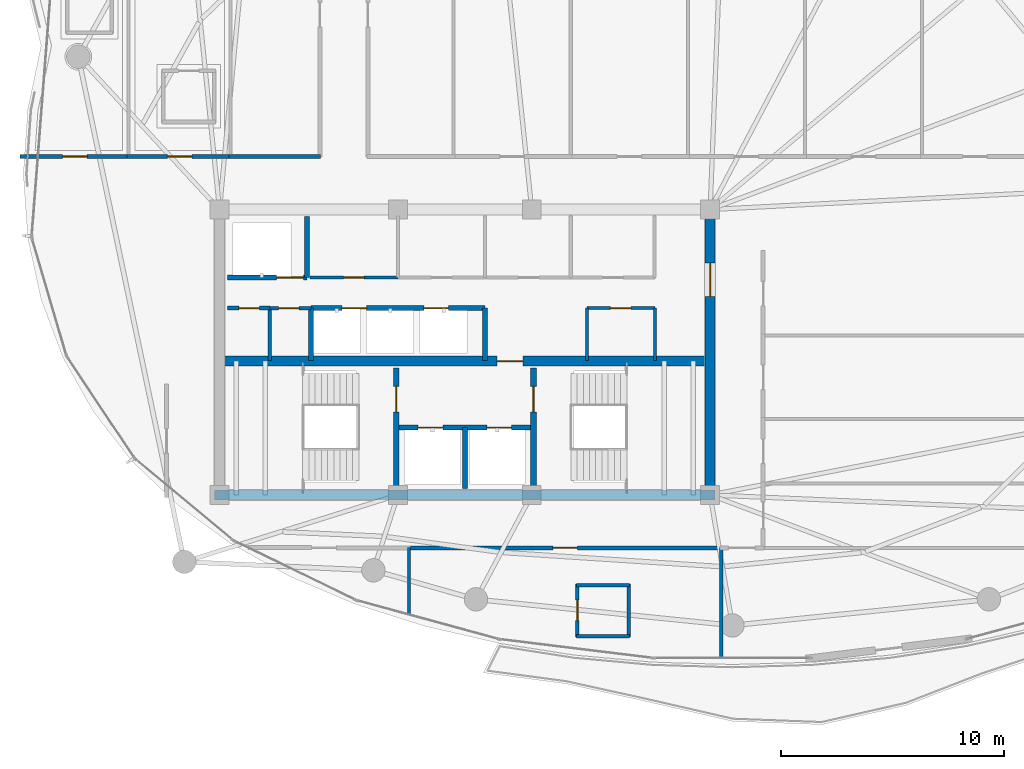
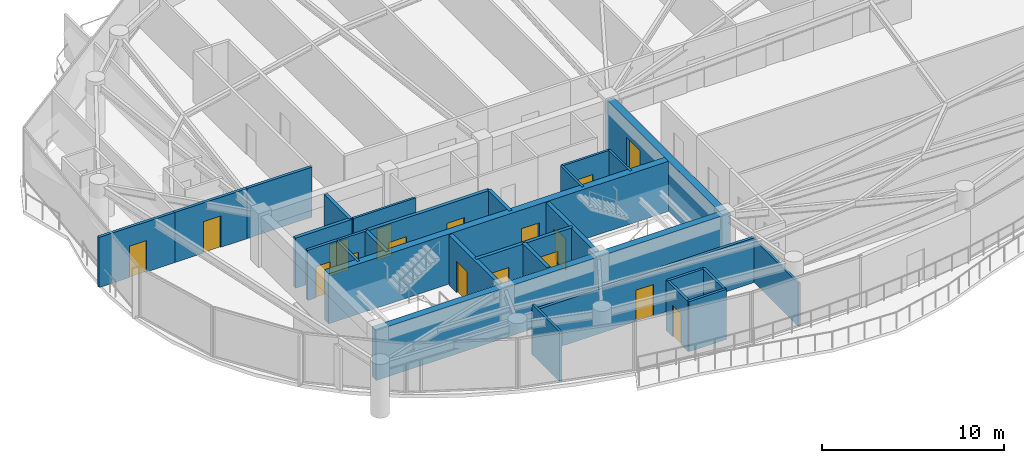
# One storey, part 25 of 31: 29 walls, 17 doors, 17 openings.
"""IFC4 building model written with IfcOpenShell, lengths in metres."""

from ifc_helpers import new_model, si_unit, direction, frame, frame_2d, origin, place, context, subcontext, project, spatial, rectangle, extrude, material, layer, layer_set, type_object, element, fill, save


model = new_model("IFC4")

# Units and contexts
model_context = context("Model", 3, precision=1e-05, world=origin(), true_north=direction((0.0, 1.0)))
body_context = subcontext(model_context, "Body", "Model", "MODEL_VIEW")
ifc_project = project(units=[si_unit("LENGTHUNIT", "METRE"), si_unit("AREAUNIT", "SQUARE_METRE"), si_unit("VOLUMEUNIT", "CUBIC_METRE"), si_unit("PLANEANGLEUNIT", "RADIAN"), si_unit("MASSUNIT", "GRAM", prefix="KILO")], contexts=[model_context])

# Site, building, storey
site_placement = place(None, origin())
site = spatial("IfcSite", under=ifc_project, at=site_placement, CompositionType="ELEMENT")
building_placement = place(site_placement, origin())
building = spatial("IfcBuilding", under=site, at=building_placement, Name="Kazevale Care Tower and Concert Hall", CompositionType="ELEMENT")
storey_placement = place(building_placement, frame((0.0, 0.0, 238.800048828125)))
storey = spatial("IfcBuildingStorey", under=building, at=storey_placement, Name="L63", CompositionType="ELEMENT", Elevation=238.800048828125)

# Wall, opening, door
ifc_material_1 = material(Name="Acoustic Gypsum on Steel Stud", Category="steel")
ifc_layer_1 = layer(ifc_material_1, 0.139892578125)
ifc_layer_set_1 = layer_set([ifc_layer_1], Name="Acoustic Gypsum on Steel Stud")
wall_type_1 = type_object("IfcWallType", Name="Acoustic Care & Suite Partition 140", PredefinedType="PARTITIONING", material=ifc_layer_set_1)
wall_1_placement = place(storey_placement, frame((26.050048828125, 33.35009765625, 0.0), z_axis=(0.0, 0.0, 1.0), x_axis=(1.0, 0.0, 0.0)))
wall_1 = element("IfcWall", 1, at=wall_1_placement, inside=storey, type_object=wall_type_1, Name="wall:L63:c_rpl1_s", PredefinedType="PARTITIONING", context=body_context, shape_type="SweptSolid", body=[
    extrude(rectangle(XDim=3.949951171875, YDim=0.139892578125, at=frame_2d((1.97509765625, 0.0))), origin(), (0.0, 0.0, 1.0), 3.35986328125),
])
opening_1_placement = place(wall_1_placement, frame((1.514892578125, 0.0, 0.0)))
opening_1 = element("IfcOpeningElement", 2, at=opening_1_placement, cuts=wall_1, Name="Opening ID-900", PredefinedType="OPENING", context=body_context, shape_type="SweptSolid", body=[
    extrude(rectangle(XDim=0.919921875, YDim=2.10009765625, at=frame_2d((0.4599609375, 1.050048828125))), frame((0.0, 0.079833984375, 0.0), z_axis=(0.0, -1.0, 0.0), x_axis=(1.0, 0.0, 0.0)), (0.0, 0.0, 1.0), 0.159912109375),
])
ifc_material_2 = material(Name="Oak Timber Fire Leaf", Category="wood")
door_type_1 = type_object("IfcDoorType", Name="Bathroom & Service Door 920x2100", OperationType="NOTDEFINED", PredefinedType="DOOR", material=ifc_material_2)
door_1_placement = place(opening_1_placement, origin())
door_1 = element("IfcDoor", 3, at=door_1_placement, inside=storey, type_object=door_type_1, Name="door:L63:d_rpl1", OperationType="SINGLE_SWING_LEFT", OverallHeight=2.10009765625, OverallWidth=0.919921875, PredefinedType="DOOR", context=body_context, shape_type="SweptSolid", body=[
    extrude(rectangle(XDim=0.919921875, YDim=2.10009765625, at=frame_2d((0.4599609375, 1.050048828125))), frame((0.0, 0.02490234375, 0.0), z_axis=(0.0, -1.0, 0.0), x_axis=(1.0, 0.0, 0.0)), (0.0, 0.0, 1.0), 0.050048828125),
])
fill(opening_1, door_1)

# Walls
for number, where, z_axis, x_axis, name in (
    (4, (38.47998046875, 29.6201171875, 0.0), (0.0, 0.0, 1.0), (0.0, 1.0, 0.0), "wall:L63:kb_ew"),
    (5, (41.52001953125, 29.6201171875, 0.0), (0.0, 0.0, 1.0), (0.0, 1.0, 0.0), "wall:L63:kb_ee"),
):
    element("IfcWall", number, at=place(storey_placement, frame(where, z_axis=z_axis, x_axis=x_axis)), inside=storey, type_object=wall_type_1, Name=name, PredefinedType="PARTITIONING", context=body_context, shape_type="SweptSolid", body=[
        extrude(rectangle(XDim=2.35986328125, YDim=0.139892578125, at=frame_2d((1.179931640625, 0.0))), origin(), (0.0, 0.0, 1.0), 3.35986328125),
    ])

# Wall, opening, door
wall_2_placement = place(storey_placement, frame((38.47998046875, 31.97998046875, 0.0), z_axis=(0.0, 0.0, 1.0), x_axis=(1.0, 0.0, 0.0)))
wall_2 = element("IfcWall", 6, at=wall_2_placement, inside=storey, type_object=wall_type_1, Name="wall:L63:kb_en", PredefinedType="PARTITIONING", context=body_context, shape_type="SweptSolid", body=[
    extrude(rectangle(XDim=3.0400390625, YDim=0.139892578125, at=frame_2d((1.52001953125, 0.0))), origin(), (0.0, 0.0, 1.0), 3.35986328125),
])
opening_2_placement = place(wall_2_placement, frame((1.044921875, 0.0, 0.0)))
opening_2 = element("IfcOpeningElement", 7, at=opening_2_placement, cuts=wall_2, Name="Opening ID-900", PredefinedType="OPENING", context=body_context, shape_type="SweptSolid", body=[
    extrude(rectangle(XDim=0.919921875, YDim=2.10009765625, at=frame_2d((0.4599609375, 1.050048828125))), frame((0.0, 0.079833984375, 0.0), z_axis=(0.0, -1.0, 0.0), x_axis=(1.0, 0.0, 0.0)), (0.0, 0.0, 1.0), 0.159912109375),
])
door_2_placement = place(opening_2_placement, origin())
door_2 = element("IfcDoor", 8, at=door_2_placement, inside=storey, type_object=door_type_1, Name="door:L63:d_kbe", OperationType="SINGLE_SWING_LEFT", OverallHeight=2.10009765625, OverallWidth=0.919921875, PredefinedType="DOOR", context=body_context, shape_type="SweptSolid", body=[
    extrude(rectangle(XDim=0.919921875, YDim=2.10009765625, at=frame_2d((0.4599609375, 1.050048828125))), frame((0.0, 0.02490234375, 0.0), z_axis=(0.0, -1.0, 0.0), x_axis=(1.0, 0.0, 0.0)), (0.0, 0.0, 1.0), 0.050048828125),
])
fill(opening_2, door_2)

# Walls
wall_3_placement = place(storey_placement, frame((30.5, 21.2548828125, 0.0), z_axis=(0.0, 0.0, 1.0), x_axis=(0.0, -1.0, 0.0)))
element("IfcWall", 9, at=wall_3_placement, inside=storey, type_object=wall_type_1, Name="wall:L63:auto_037", PredefinedType="PARTITIONING", context=body_context, shape_type="SweptSolid", body=[
    extrude(rectangle(XDim=3.013671875, YDim=0.139892578125, at=frame_2d((1.5068359375, 0.0))), origin(), (0.0, 0.0, 1.0), 3.35986328125),
])
wall_4_placement = place(storey_placement, frame((44.5, 21.2548828125, 0.0), z_axis=(0.0, 0.0, 1.0), x_axis=(0.0, -1.0, 0.0)))
element("IfcWall", 10, at=wall_4_placement, inside=storey, type_object=wall_type_1, Name="wall:L63:auto_038", PredefinedType="PARTITIONING", context=body_context, shape_type="SweptSolid", body=[
    extrude(rectangle(XDim=4.9599609375, YDim=0.139892578125, at=frame_2d((2.47998046875, 0.0))), origin(), (0.0, 0.0, 1.0), 2.889892578125),
])
ifc_material_3 = material(Name="Concrete C50", Category="concrete")
ifc_layer_2 = layer(ifc_material_3, 0.449951171875)
ifc_layer_set_2 = layer_set([ifc_layer_2], Name="Concrete C50")
wall_type_2 = type_object("IfcWallType", Name="Core Shear Wall 450 C50", PredefinedType="SHEAR", material=ifc_layer_set_2)
wall_5_placement = place(storey_placement, frame((21.77490234375, 23.60009765625, 0.0), z_axis=(0.0, 0.0, 1.0), x_axis=(1.0, 0.0, 0.0)))
element("IfcWall", 11, at=wall_5_placement, inside=storey, type_object=wall_type_2, Name="wall:L63:core:S", PredefinedType="SHEAR", context=body_context, shape_type="SweptSolid", body=[
    extrude(rectangle(XDim=22.4501953125, YDim=0.449951171875, at=frame_2d((11.22509765625, 0.0))), origin(), (0.0, 0.0, 1.0), 3.35986328125),
])

# Wall, opening, door
wall_6_placement = place(storey_placement, frame((44.0, 23.824951171875, 0.0), z_axis=(0.0, 0.0, 1.0), x_axis=(0.0, 1.0, 0.0)))
wall_6 = element("IfcWall", 12, at=wall_6_placement, inside=storey, type_object=wall_type_2, Name="wall:L63:core:E", PredefinedType="SHEAR", context=body_context, shape_type="SweptSolid", body=[
    extrude(rectangle(XDim=12.35009765625, YDim=0.449951171875, at=frame_2d((6.175048828125, 0.0))), origin(), (0.0, 0.0, 1.0), 3.35986328125),
])
opening_3_placement = place(wall_6_placement, frame((8.675048828125, 0.0, 0.0)))
opening_3 = element("IfcOpeningElement", 13, at=opening_3_placement, cuts=wall_6, Name="Opening FD-60D", PredefinedType="OPENING", context=body_context, shape_type="SweptSolid", body=[
    extrude(rectangle(XDim=1.5, YDim=2.14990234375, at=frame_2d((0.75, 1.074951171875))), frame((0.0, 0.23486328125, 0.0), z_axis=(0.0, -1.0, 0.0), x_axis=(1.0, 0.0, 0.0)), (0.0, 0.0, 1.0), 0.469970703125),
])
door_type_2 = type_object("IfcDoorType", Name="Double Lobby & Auditorium Fire Door 1500x2150", OperationType="NOTDEFINED", PredefinedType="DOOR", material=ifc_material_2)
door_3_placement = place(opening_3_placement, origin())
door_3 = element("IfcDoor", 14, at=door_3_placement, inside=storey, type_object=door_type_2, Name="door:L63:core_east_out", OperationType="DOUBLE_DOOR_SINGLE_SWING", OverallHeight=2.14990234375, OverallWidth=1.5, PredefinedType="DOOR", context=body_context, shape_type="SweptSolid", body=[
    extrude(rectangle(XDim=1.5, YDim=2.14990234375, at=frame_2d((0.75, 1.074951171875))), frame((0.0, 0.02490234375, 0.0), z_axis=(0.0, -1.0, 0.0), x_axis=(1.0, 0.0, 0.0)), (0.0, 0.0, 1.0), 0.050048828125),
])
fill(opening_3, door_3)

wall_7_placement = place(storey_placement, frame((22.22509765625, 29.60009765625, 0.0), z_axis=(0.0, 0.0, 1.0), x_axis=(1.0, 0.0, 0.0)))
wall_7 = element("IfcWall", 15, at=wall_7_placement, inside=storey, type_object=wall_type_2, Name="wall:L63:core:M", PredefinedType="SHEAR", context=body_context, shape_type="SweptSolid", body=[
    extrude(rectangle(XDim=21.5498046875, YDim=0.449951171875, at=frame_2d((10.77490234375, 0.0))), origin(), (0.0, 0.0, 1.0), 3.35986328125),
])
opening_4_placement = place(wall_7_placement, frame((12.22509765625, 0.0, 0.0)))
opening_4 = element("IfcOpeningElement", 16, at=opening_4_placement, cuts=wall_7, Name="Opening FD-90", PredefinedType="OPENING", context=body_context, shape_type="SweptSolid", body=[
    extrude(rectangle(XDim=1.14990234375, YDim=2.10009765625, at=frame_2d((0.574951171875, 1.050048828125))), frame((0.0, 0.23486328125, 0.0), z_axis=(0.0, -1.0, 0.0), x_axis=(1.0, 0.0, 0.0)), (0.0, 0.0, 1.0), 0.469970703125),
])
ifc_material_4 = material(Name="Steel ASTM A572 Gr 50", Category="steel")
door_type_3 = type_object("IfcDoorType", Name="Pressurized Stair & Lobby Fire Door 1150x2100", OperationType="NOTDEFINED", PredefinedType="DOOR", material=ifc_material_4)
door_4_placement = place(opening_4_placement, origin())
door_4 = element("IfcDoor", 17, at=door_4_placement, inside=storey, type_object=door_type_3, Name="door:L63:ff_to_pax", OperationType="SINGLE_SWING_LEFT", OverallHeight=2.10009765625, OverallWidth=1.14990234375, PredefinedType="DOOR", context=body_context, shape_type="SweptSolid", body=[
    extrude(rectangle(XDim=1.14990234375, YDim=2.10009765625, at=frame_2d((0.574951171875, 1.050048828125))), frame((0.0, 0.02490234375, 0.0), z_axis=(0.0, -1.0, 0.0), x_axis=(1.0, 0.0, 0.0)), (0.0, 0.0, 1.0), 0.050048828125),
])
fill(opening_4, door_4)

# Wall, openings, doors
ifc_material_5 = material(Name="Concrete C40", Category="concrete")
ifc_layer_3 = layer(ifc_material_5, 0.219970703125)
ifc_layer_set_3 = layer_set([ifc_layer_3], Name="Concrete C40")
wall_type_3 = type_object("IfcWallType", Name="Elevator Hoistway Shaft Wall 220", PredefinedType="SOLIDWALL", material=ifc_layer_set_3)
wall_8_placement = place(storey_placement, frame((29.919921875, 26.6201171875, 0.0), z_axis=(0.0, 0.0, 1.0), x_axis=(1.0, 0.0, 0.0)))
wall_8 = element("IfcWall", 18, at=wall_8_placement, inside=storey, type_object=wall_type_3, Name="wall:L63:c_ffl_n", PredefinedType="SOLIDWALL", context=body_context, shape_type="SweptSolid", body=[
    extrude(rectangle(XDim=6.16015625, YDim=0.219970703125, at=frame_2d((3.080078125, 0.0))), origin(), (0.0, 0.0, 1.0), 3.35986328125),
])
opening_5_placement = place(wall_8_placement, frame((0.989990234375, 0.0, 0.0)))
opening_5 = element("IfcOpeningElement", 19, at=opening_5_placement, cuts=wall_8, Name="Opening LD-FF", PredefinedType="OPENING", context=body_context, shape_type="SweptSolid", body=[
    extrude(rectangle(XDim=1.10009765625, YDim=2.10009765625, at=frame_2d((0.550048828125, 1.050048828125))), frame((0.0, 0.119873046875, 0.0), z_axis=(0.0, -1.0, 0.0), x_axis=(1.0, 0.0, 0.0)), (0.0, 0.0, 1.0), 0.239990234375),
])
opening_6_placement = place(wall_8_placement, frame((4.070068359375, 0.0, 0.0)))
opening_6 = element("IfcOpeningElement", 20, at=opening_6_placement, cuts=wall_8, Name="Opening LD-FF", PredefinedType="OPENING", context=body_context, shape_type="SweptSolid", body=[
    extrude(rectangle(XDim=1.10009765625, YDim=2.10009765625, at=frame_2d((0.550048828125, 1.050048828125))), frame((0.0, 0.119873046875, 0.0), z_axis=(0.0, -1.0, 0.0), x_axis=(1.0, 0.0, 0.0)), (0.0, 0.0, 1.0), 0.239990234375),
])
ifc_material_6 = material(Name="Stainless Steel 316", Category="steel")
door_type_4 = type_object("IfcDoorType", Name="Emergency Lift Sliding Landing Door 1100x2100", OperationType="NOTDEFINED", PredefinedType="DOOR", material=ifc_material_6)
door_5_placement = place(opening_5_placement, origin())
door_5 = element("IfcDoor", 21, at=door_5_placement, inside=storey, type_object=door_type_4, Name="door:L63:ld_ffl1", OperationType="SLIDING_TO_LEFT", OverallHeight=2.10009765625, OverallWidth=1.10009765625, PredefinedType="DOOR", context=body_context, shape_type="SweptSolid", body=[
    extrude(rectangle(XDim=1.10009765625, YDim=2.10009765625, at=frame_2d((0.550048828125, 1.050048828125))), frame((0.0, 0.02490234375, 0.0), z_axis=(0.0, -1.0, 0.0), x_axis=(1.0, 0.0, 0.0)), (0.0, 0.0, 1.0), 0.050048828125),
])
fill(opening_5, door_5)
door_6_placement = place(opening_6_placement, origin())
door_6 = element("IfcDoor", 22, at=door_6_placement, inside=storey, type_object=door_type_4, Name="door:L63:ld_ffl2", OperationType="SLIDING_TO_RIGHT", OverallHeight=2.10009765625, OverallWidth=1.10009765625, PredefinedType="DOOR", context=body_context, shape_type="SweptSolid", body=[
    extrude(rectangle(XDim=1.10009765625, YDim=2.10009765625, at=frame_2d((0.550048828125, 1.050048828125))), frame((0.0, 0.02490234375, 0.0), z_axis=(0.0, -1.0, 0.0), x_axis=(1.0, 0.0, 0.0)), (0.0, 0.0, 1.0), 0.050048828125),
])
fill(opening_6, door_6)

# Walls
wall_9_placement = place(storey_placement, frame((33.0, 23.89990234375, 0.0), z_axis=(0.0, 0.0, 1.0), x_axis=(0.0, 1.0, 0.0)))
element("IfcWall", 23, at=wall_9_placement, inside=storey, type_object=wall_type_3, Name="wall:L63:c_ffl_m", PredefinedType="SOLIDWALL", context=body_context, shape_type="SweptSolid", body=[
    extrude(rectangle(XDim=2.72021484375, YDim=0.219970703125, at=frame_2d((1.360107421875, 0.0))), origin(), (0.0, 0.0, 1.0), 3.35986328125),
])
wall_10_placement = place(storey_placement, frame((25.919921875, 33.35009765625, 0.0), z_axis=(0.0, 0.0, 1.0), x_axis=(0.0, 1.0, 0.0)))
element("IfcWall", 24, at=wall_10_placement, inside=storey, type_object=wall_type_3, Name="wall:L63:c_svl_e", PredefinedType="SOLIDWALL", context=body_context, shape_type="SweptSolid", body=[
    extrude(rectangle(XDim=2.72998046875, YDim=0.219970703125, at=frame_2d((1.364990234375, 0.0))), origin(), (0.0, 0.0, 1.0), 3.35986328125),
])

# Wall, opening, door
wall_11_placement = place(storey_placement, frame((22.35009765625, 33.35009765625, 0.0), z_axis=(0.0, 0.0, 1.0), x_axis=(1.0, 0.0, 0.0)))
wall_11 = element("IfcWall", 25, at=wall_11_placement, inside=storey, type_object=wall_type_3, Name="wall:L63:c_svl_s", PredefinedType="SOLIDWALL", context=body_context, shape_type="SweptSolid", body=[
    extrude(rectangle(XDim=3.56982421875, YDim=0.219970703125, at=frame_2d((1.784912109375, 0.0))), origin(), (0.0, 0.0, 1.0), 3.35986328125),
])
opening_7_placement = place(wall_11_placement, frame((2.212890625, 0.0, 0.0)))
opening_7 = element("IfcOpeningElement", 26, at=opening_7_placement, cuts=wall_11, Name="Opening LD-SV", PredefinedType="OPENING", context=body_context, shape_type="SweptSolid", body=[
    extrude(rectangle(XDim=1.199951171875, YDim=2.10009765625, at=frame_2d((0.60009765625, 1.050048828125))), frame((0.0, 0.119873046875, 0.0), z_axis=(0.0, -1.0, 0.0), x_axis=(1.0, 0.0, 0.0)), (0.0, 0.0, 1.0), 0.239990234375),
])
door_type_5 = type_object("IfcDoorType", Name="Service Lift Sliding Landing Door 1200x2100", OperationType="NOTDEFINED", PredefinedType="DOOR", material=ifc_material_6)
door_7_placement = place(opening_7_placement, origin())
door_7 = element("IfcDoor", 27, at=door_7_placement, inside=storey, type_object=door_type_5, Name="door:L63:ld_svl1", OperationType="SLIDING_TO_LEFT", OverallHeight=2.10009765625, OverallWidth=1.199951171875, PredefinedType="DOOR", context=body_context, shape_type="SweptSolid", body=[
    extrude(rectangle(XDim=1.199951171875, YDim=2.10009765625, at=frame_2d((0.60009765625, 1.050048828125))), frame((0.0, 0.02490234375, 0.0), z_axis=(0.0, -1.0, 0.0), x_axis=(1.0, 0.0, 0.0)), (0.0, 0.0, 1.0), 0.050048828125),
])
fill(opening_7, door_7)

# Wall
wall_12_placement = place(storey_placement, frame((26.10009765625, 29.6201171875, 0.0), z_axis=(0.0, 0.0, 1.0), x_axis=(0.0, 1.0, 0.0)))
element("IfcWall", 28, at=wall_12_placement, inside=storey, type_object=wall_type_3, Name="wall:L63:c_ph_w", PredefinedType="SOLIDWALL", context=body_context, shape_type="SweptSolid", body=[
    extrude(rectangle(XDim=2.35986328125, YDim=0.219970703125, at=frame_2d((1.179931640625, 0.0))), origin(), (0.0, 0.0, 1.0), 3.35986328125),
])

# Wall, openings, doors
wall_13_placement = place(storey_placement, frame((26.10009765625, 31.97998046875, 0.0), z_axis=(0.0, 0.0, 1.0), x_axis=(1.0, 0.0, 0.0)))
wall_13 = element("IfcWall", 29, at=wall_13_placement, inside=storey, type_object=wall_type_3, Name="wall:L63:c_ph_n", PredefinedType="SOLIDWALL", context=body_context, shape_type="SweptSolid", body=[
    extrude(rectangle(XDim=7.7998046875, YDim=0.219970703125, at=frame_2d((3.89990234375, 0.0))), origin(), (0.0, 0.0, 1.0), 3.35986328125),
])
opening_8_placement = place(wall_13_placement, frame((1.39990234375, 0.0, 0.0)))
opening_8 = element("IfcOpeningElement", 30, at=opening_8_placement, cuts=wall_13, Name="Opening LD-PAX", PredefinedType="OPENING", context=body_context, shape_type="SweptSolid", body=[
    extrude(rectangle(XDim=1.10009765625, YDim=2.10009765625, at=frame_2d((0.550048828125, 1.050048828125))), frame((0.0, 0.119873046875, 0.0), z_axis=(0.0, -1.0, 0.0), x_axis=(1.0, 0.0, 0.0)), (0.0, 0.0, 1.0), 0.239990234375),
])
opening_9_placement = place(wall_13_placement, frame((5.06591796875, 0.0, 0.0)))
opening_9 = element("IfcOpeningElement", 31, at=opening_9_placement, cuts=wall_13, Name="Opening LD-PAX", PredefinedType="OPENING", context=body_context, shape_type="SweptSolid", body=[
    extrude(rectangle(XDim=1.10009765625, YDim=2.10009765625, at=frame_2d((0.550048828125, 1.050048828125))), frame((0.0, 0.119873046875, 0.0), z_axis=(0.0, -1.0, 0.0), x_axis=(1.0, 0.0, 0.0)), (0.0, 0.0, 1.0), 0.239990234375),
])
door_type_6 = type_object("IfcDoorType", Name="Passenger Lift Sliding Landing Door 1100x2100", OperationType="NOTDEFINED", PredefinedType="DOOR", material=ifc_material_6)
door_8_placement = place(opening_8_placement, origin())
door_8 = element("IfcDoor", 32, at=door_8_placement, inside=storey, type_object=door_type_6, Name="door:L63:ld_ph1", OperationType="SLIDING_TO_LEFT", OverallHeight=2.10009765625, OverallWidth=1.10009765625, PredefinedType="DOOR", context=body_context, shape_type="SweptSolid", body=[
    extrude(rectangle(XDim=1.10009765625, YDim=2.10009765625, at=frame_2d((0.550048828125, 1.050048828125))), frame((0.0, 0.02490234375, 0.0), z_axis=(0.0, -1.0, 0.0), x_axis=(1.0, 0.0, 0.0)), (0.0, 0.0, 1.0), 0.050048828125),
])
fill(opening_8, door_8)
door_9_placement = place(opening_9_placement, origin())
door_9 = element("IfcDoor", 33, at=door_9_placement, inside=storey, type_object=door_type_6, Name="door:L63:ld_ph2", OperationType="SLIDING_TO_RIGHT", OverallHeight=2.10009765625, OverallWidth=1.10009765625, PredefinedType="DOOR", context=body_context, shape_type="SweptSolid", body=[
    extrude(rectangle(XDim=1.10009765625, YDim=2.10009765625, at=frame_2d((0.550048828125, 1.050048828125))), frame((0.0, 0.02490234375, 0.0), z_axis=(0.0, -1.0, 0.0), x_axis=(1.0, 0.0, 0.0)), (0.0, 0.0, 1.0), 0.050048828125),
])
fill(opening_9, door_9)

# Wall
wall_14_placement = place(storey_placement, frame((33.89990234375, 29.6201171875, 0.0), z_axis=(0.0, 0.0, 1.0), x_axis=(0.0, 1.0, 0.0)))
element("IfcWall", 34, at=wall_14_placement, inside=storey, type_object=wall_type_3, Name="wall:L63:c_ph_e", PredefinedType="SOLIDWALL", context=body_context, shape_type="SweptSolid", body=[
    extrude(rectangle(XDim=2.35986328125, YDim=0.219970703125, at=frame_2d((1.179931640625, 0.0))), origin(), (0.0, 0.0, 1.0), 3.35986328125),
])

# Wall, opening, door
ifc_material_7 = material(Name="Concrete C40 and Acoustic Gypsum", Category="concrete")
ifc_layer_4 = layer(ifc_material_7, 0.179931640625)
ifc_layer_set_4 = layer_set([ifc_layer_4], Name="Concrete C40 and Acoustic Gypsum")
wall_type_4 = type_object("IfcWallType", Name="Fire-Rated Corridor & Party Wall 180", PredefinedType="PARTITIONING", material=ifc_layer_set_4)
wall_15_placement = place(storey_placement, frame((22.35009765625, 31.97998046875, 0.0), z_axis=(0.0, 0.0, 1.0), x_axis=(1.0, 0.0, 0.0)))
wall_15 = element("IfcWall", 35, at=wall_15_placement, inside=storey, type_object=wall_type_4, Name="wall:L63:kb_wn0", PredefinedType="PARTITIONING", context=body_context, shape_type="SweptSolid", body=[
    extrude(rectangle(XDim=1.909912109375, YDim=0.179931640625, at=frame_2d((0.955078125, 0.0))), origin(), (0.0, 0.0, 1.0), 3.35986328125),
])
opening_10_placement = place(wall_15_placement, frame((0.514892578125, 0.0, 0.0)))
opening_10 = element("IfcOpeningElement", 36, at=opening_10_placement, cuts=wall_15, Name="Opening ID-900", PredefinedType="OPENING", context=body_context, shape_type="SweptSolid", body=[
    extrude(rectangle(XDim=0.919921875, YDim=2.10009765625, at=frame_2d((0.4599609375, 1.050048828125))), frame((0.0, 0.099853515625, 0.0), z_axis=(0.0, -1.0, 0.0), x_axis=(1.0, 0.0, 0.0)), (0.0, 0.0, 1.0), 0.199951171875),
])
door_10_placement = place(opening_10_placement, origin())
door_10 = element("IfcDoor", 37, at=door_10_placement, inside=storey, type_object=door_type_1, Name="door:L63:d_kbw1", OperationType="SINGLE_SWING_LEFT", OverallHeight=2.10009765625, OverallWidth=0.919921875, PredefinedType="DOOR", context=body_context, shape_type="SweptSolid", body=[
    extrude(rectangle(XDim=0.919921875, YDim=2.10009765625, at=frame_2d((0.4599609375, 1.050048828125))), frame((0.0, 0.02490234375, 0.0), z_axis=(0.0, -1.0, 0.0), x_axis=(1.0, 0.0, 0.0)), (0.0, 0.0, 1.0), 0.050048828125),
])
fill(opening_10, door_10)

wall_16_placement = place(storey_placement, frame((13.053955078125, 38.77490234375, 0.0), z_axis=(0.0, 0.0, 1.0), x_axis=(1.0, 0.0, 0.0)))
wall_16 = element("IfcWall", 38, at=wall_16_placement, inside=storey, type_object=wall_type_4, Name="wall:L63:auto_001", PredefinedType="PARTITIONING", context=body_context, shape_type="SweptSolid", body=[
    extrude(rectangle(XDim=4.93115234375, YDim=0.179931640625, at=frame_2d((2.465576171875, 0.0))), origin(), (0.0, 0.0, 1.0), 3.35986328125),
])
opening_11_placement = place(wall_16_placement, frame((1.9150390625, 0.0, 0.0)))
opening_11 = element("IfcOpeningElement", 39, at=opening_11_placement, cuts=wall_16, Name="Opening ID-1100", PredefinedType="OPENING", context=body_context, shape_type="SweptSolid", body=[
    extrude(rectangle(XDim=1.10009765625, YDim=2.10009765625, at=frame_2d((0.550048828125, 1.050048828125))), frame((0.0, 0.099853515625, 0.0), z_axis=(0.0, -1.0, 0.0), x_axis=(1.0, 0.0, 0.0)), (0.0, 0.0, 1.0), 0.199951171875),
])
door_type_7 = type_object("IfcDoorType", Name="Care Bedroom Accessible Door 1100x2100", OperationType="NOTDEFINED", PredefinedType="DOOR", material=ifc_material_2)
door_11_placement = place(opening_11_placement, origin())
door_11 = element("IfcDoor", 40, at=door_11_placement, inside=storey, type_object=door_type_7, Name="door:L63:ad_001", OperationType="SINGLE_SWING_LEFT", OverallHeight=2.10009765625, OverallWidth=1.10009765625, PredefinedType="DOOR", context=body_context, shape_type="SweptSolid", body=[
    extrude(rectangle(XDim=1.10009765625, YDim=2.10009765625, at=frame_2d((0.550048828125, 1.050048828125))), frame((0.0, 0.02490234375, 0.0), z_axis=(0.0, -1.0, 0.0), x_axis=(1.0, 0.0, 0.0)), (0.0, 0.0, 1.0), 0.050048828125),
])
fill(opening_11, door_11)

wall_17_placement = place(storey_placement, frame((17.85498046875, 38.77490234375, 0.0), z_axis=(0.0, 0.0, 1.0), x_axis=(1.0, 0.0, 0.0)))
wall_17 = element("IfcWall", 41, at=wall_17_placement, inside=storey, type_object=wall_type_4, Name="wall:L63:auto_002", PredefinedType="PARTITIONING", context=body_context, shape_type="SweptSolid", body=[
    extrude(rectangle(XDim=4.7099609375, YDim=0.179931640625, at=frame_2d((2.35498046875, 0.0))), origin(), (0.0, 0.0, 1.0), 3.35986328125),
])
opening_12_placement = place(wall_17_placement, frame((1.804931640625, 0.0, 0.0)))
opening_12 = element("IfcOpeningElement", 42, at=opening_12_placement, cuts=wall_17, Name="Opening ID-1100", PredefinedType="OPENING", context=body_context, shape_type="SweptSolid", body=[
    extrude(rectangle(XDim=1.10009765625, YDim=2.10009765625, at=frame_2d((0.550048828125, 1.050048828125))), frame((0.0, 0.099853515625, 0.0), z_axis=(0.0, -1.0, 0.0), x_axis=(1.0, 0.0, 0.0)), (0.0, 0.0, 1.0), 0.199951171875),
])
door_12_placement = place(opening_12_placement, origin())
door_12 = element("IfcDoor", 43, at=door_12_placement, inside=storey, type_object=door_type_7, Name="door:L63:ad_002", OperationType="SINGLE_SWING_LEFT", OverallHeight=2.10009765625, OverallWidth=1.10009765625, PredefinedType="DOOR", context=body_context, shape_type="SweptSolid", body=[
    extrude(rectangle(XDim=1.10009765625, YDim=2.10009765625, at=frame_2d((0.550048828125, 1.050048828125))), frame((0.0, 0.02490234375, 0.0), z_axis=(0.0, -1.0, 0.0), x_axis=(1.0, 0.0, 0.0)), (0.0, 0.0, 1.0), 0.050048828125),
])
fill(opening_12, door_12)

# Wall
wall_18_placement = place(storey_placement, frame((22.43505859375, 38.77490234375, 0.0), z_axis=(0.0, 0.0, 1.0), x_axis=(1.0, 0.0, 0.0)))
element("IfcWall", 44, at=wall_18_placement, inside=storey, type_object=wall_type_4, Name="wall:L63:auto_004", PredefinedType="PARTITIONING", context=body_context, shape_type="SweptSolid", body=[
    extrude(rectangle(XDim=4.094970703125, YDim=0.179931640625, at=frame_2d((2.04736328125, 0.0))), origin(), (0.0, 0.0, 1.0), 3.35986328125),
])

# Wall, opening, door
wall_19_placement = place(storey_placement, frame((44.56494140625, 21.22509765625, 0.0), z_axis=(0.0, 0.0, 1.0), x_axis=(-1.0, 0.0, 0.0)))
wall_19 = element("IfcWall", 45, at=wall_19_placement, inside=storey, type_object=wall_type_4, Name="wall:L63:auto_020", PredefinedType="PARTITIONING", context=body_context, shape_type="SweptSolid", body=[
    extrude(rectangle(XDim=14.1298828125, YDim=0.179931640625, at=frame_2d((7.06494140625, 0.0))), origin(), (0.0, 0.0, 1.0), 2.995849609375),
])
opening_13_placement = place(wall_19_placement, frame((6.514892578125, 0.0, 0.0)))
opening_13 = element("IfcOpeningElement", 46, at=opening_13_placement, cuts=wall_19, Name="Opening ID-1100", PredefinedType="OPENING", context=body_context, shape_type="SweptSolid", body=[
    extrude(rectangle(XDim=1.10009765625, YDim=2.10009765625, at=frame_2d((0.550048828125, 1.050048828125))), frame((0.0, 0.099853515625, 0.0), z_axis=(0.0, -1.0, 0.0), x_axis=(1.0, 0.0, 0.0)), (0.0, 0.0, 1.0), 0.199951171875),
])
door_13_placement = place(opening_13_placement, origin())
door_13 = element("IfcDoor", 47, at=door_13_placement, inside=storey, type_object=door_type_7, Name="door:L63:ad_020", OperationType="SINGLE_SWING_LEFT", OverallHeight=2.10009765625, OverallWidth=1.10009765625, PredefinedType="DOOR", context=body_context, shape_type="SweptSolid", body=[
    extrude(rectangle(XDim=1.10009765625, YDim=2.10009765625, at=frame_2d((0.550048828125, 1.050048828125))), frame((0.0, 0.02490234375, 0.0), z_axis=(0.0, -1.0, 0.0), x_axis=(1.0, 0.0, 0.0)), (0.0, 0.0, 1.0), 0.050048828125),
])
fill(opening_13, door_13)

# Wall
ifc_layer_5 = layer(ifc_material_1, 0.159912109375)
ifc_layer_set_5 = layer_set([ifc_layer_5], Name="Acoustic Gypsum on Steel Stud")
wall_type_5 = type_object("IfcWallType", Name="Moisture-Resistant Bathroom Plumbing Wall 160", PredefinedType="PLUMBINGWALL", material=ifc_layer_set_5)
wall_20_placement = place(storey_placement, frame((24.260009765625, 29.6201171875, 0.0), z_axis=(0.0, 0.0, 1.0), x_axis=(0.0, 1.0, 0.0)))
element("IfcWall", 48, at=wall_20_placement, inside=storey, type_object=wall_type_5, Name="wall:L63:kb_we1", PredefinedType="PLUMBINGWALL", context=body_context, shape_type="SweptSolid", body=[
    extrude(rectangle(XDim=2.35986328125, YDim=0.159912109375, at=frame_2d((1.179931640625, 0.0))), origin(), (0.0, 0.0, 1.0), 3.35986328125),
])

# Wall, opening, door
wall_21_placement = place(storey_placement, frame((24.260009765625, 31.97998046875, 0.0), z_axis=(0.0, 0.0, 1.0), x_axis=(1.0, 0.0, 0.0)))
wall_21 = element("IfcWall", 49, at=wall_21_placement, inside=storey, type_object=wall_type_5, Name="wall:L63:kb_wn1", PredefinedType="PLUMBINGWALL", context=body_context, shape_type="SweptSolid", body=[
    extrude(rectangle(XDim=1.840087890625, YDim=0.159912109375, at=frame_2d((0.919921875, 0.0))), origin(), (0.0, 0.0, 1.0), 3.35986328125),
])
opening_14_placement = place(wall_21_placement, frame((0.387939453125, 0.0, 0.0)))
opening_14 = element("IfcOpeningElement", 50, at=opening_14_placement, cuts=wall_21, Name="Opening ID-900", PredefinedType="OPENING", context=body_context, shape_type="SweptSolid", body=[
    extrude(rectangle(XDim=0.919921875, YDim=2.10009765625, at=frame_2d((0.4599609375, 1.050048828125))), frame((0.0, 0.08984375, 0.0), z_axis=(0.0, -1.0, 0.0), x_axis=(1.0, 0.0, 0.0)), (0.0, 0.0, 1.0), 0.179931640625),
])
door_14_placement = place(opening_14_placement, origin())
door_14 = element("IfcDoor", 51, at=door_14_placement, inside=storey, type_object=door_type_1, Name="door:L63:d_kbw2", OperationType="SINGLE_SWING_RIGHT", OverallHeight=2.10009765625, OverallWidth=0.919921875, PredefinedType="DOOR", context=body_context, shape_type="SweptSolid", body=[
    extrude(rectangle(XDim=0.919921875, YDim=2.10009765625, at=frame_2d((0.4599609375, 1.050048828125))), frame((0.0, 0.02490234375, 0.0), z_axis=(0.0, -1.0, 0.0), x_axis=(1.0, 0.0, 0.0)), (0.0, 0.0, 1.0), 0.050048828125),
])
fill(opening_14, door_14)

# Walls
for number, where, z_axis, x_axis, name in (
    (52, (38.010009765625, 17.260986328125, 0.0), (0.0, 0.0, 1.0), (1.0, 0.0, 0.0), "wall:L63:sb2_ens_ws"),
    (53, (38.010009765625, 19.56103515625, 0.0), (0.0, 0.0, 1.0), (1.0, 0.0, 0.0), "wall:L63:sb2_ens_wn"),
):
    element("IfcWall", number, at=place(storey_placement, frame(where, z_axis=z_axis, x_axis=x_axis)), inside=storey, type_object=wall_type_5, Name=name, PredefinedType="PLUMBINGWALL", context=body_context, shape_type="SweptSolid", body=[
        extrude(rectangle(XDim=2.3798828125, YDim=0.159912109375, at=frame_2d((1.18994140625, 0.0))), origin(), (0.0, 0.0, 1.0), 3.35986328125),
    ])

# Wall, opening, door
wall_22_placement = place(storey_placement, frame((38.050048828125, 17.220947265625, 0.0), z_axis=(0.0, 0.0, 1.0), x_axis=(0.0, 1.0, 0.0)))
wall_22 = element("IfcWall", 54, at=wall_22_placement, inside=storey, type_object=wall_type_5, Name="wall:L63:sb2_ens_ww", PredefinedType="PLUMBINGWALL", context=body_context, shape_type="SweptSolid", body=[
    extrude(rectangle(XDim=2.380126953125, YDim=0.159912109375, at=frame_2d((1.18994140625, 0.0))), origin(), (0.0, 0.0, 1.0), 3.35986328125),
])
opening_15_placement = place(wall_22_placement, frame((0.739990234375, 0.0, 0.0)))
opening_15 = element("IfcOpeningElement", 55, at=opening_15_placement, cuts=wall_22, Name="Opening ID-900", PredefinedType="OPENING", context=body_context, shape_type="SweptSolid", body=[
    extrude(rectangle(XDim=0.919921875, YDim=2.10009765625, at=frame_2d((0.4599609375, 1.050048828125))), frame((0.0, 0.08984375, 0.0), z_axis=(0.0, -1.0, 0.0), x_axis=(1.0, 0.0, 0.0)), (0.0, 0.0, 1.0), 0.179931640625),
])
door_15_placement = place(opening_15_placement, origin())
door_15 = element("IfcDoor", 56, at=door_15_placement, inside=storey, type_object=door_type_1, Name="door:L63:sb2_ens_d", OperationType="SINGLE_SWING_LEFT", OverallHeight=2.10009765625, OverallWidth=0.919921875, PredefinedType="DOOR", context=body_context, shape_type="SweptSolid", body=[
    extrude(rectangle(XDim=0.919921875, YDim=2.10009765625, at=frame_2d((0.4599609375, 1.050048828125))), frame((0.0, 0.02490234375, 0.0), z_axis=(0.0, -1.0, 0.0), x_axis=(1.0, 0.0, 0.0)), (0.0, 0.0, 1.0), 0.050048828125),
])
fill(opening_15, door_15)

# Wall
wall_23_placement = place(storey_placement, frame((40.35009765625, 17.220947265625, 0.0), z_axis=(0.0, 0.0, 1.0), x_axis=(0.0, 1.0, 0.0)))
element("IfcWall", 57, at=wall_23_placement, inside=storey, type_object=wall_type_5, Name="wall:L63:sb2_ens_we", PredefinedType="PLUMBINGWALL", context=body_context, shape_type="SweptSolid", body=[
    extrude(rectangle(XDim=2.380126953125, YDim=0.159912109375, at=frame_2d((1.18994140625, 0.0))), origin(), (0.0, 0.0, 1.0), 3.35986328125),
])

# Wall, opening, door
ifc_layer_6 = layer(ifc_material_5, 0.25)
ifc_layer_set_6 = layer_set([ifc_layer_6], Name="Concrete C40")
wall_type_6 = type_object("IfcWallType", Name="Pressurized Stair Shaft Wall 250", PredefinedType="SOLIDWALL", material=ifc_layer_set_6)
wall_24_placement = place(storey_placement, frame((29.919921875, 23.89990234375, 0.0), z_axis=(0.0, 0.0, 1.0), x_axis=(0.0, 1.0, 0.0)))
wall_24 = element("IfcWall", 58, at=wall_24_placement, inside=storey, type_object=wall_type_6, Name="wall:L63:c_st1_e", PredefinedType="SOLIDWALL", context=body_context, shape_type="SweptSolid", body=[
    extrude(rectangle(XDim=5.400146484375, YDim=0.25, at=frame_2d((2.7001953125, 0.0))), origin(), (0.0, 0.0, 1.0), 3.35986328125),
])
opening_16_placement = place(wall_24_placement, frame((3.4208984375, 0.0, 0.0)))
opening_16 = element("IfcOpeningElement", 59, at=opening_16_placement, cuts=wall_24, Name="Opening FD-90", PredefinedType="OPENING", context=body_context, shape_type="SweptSolid", body=[
    extrude(rectangle(XDim=1.14990234375, YDim=2.10009765625, at=frame_2d((0.574951171875, 1.050048828125))), frame((0.0, 0.135009765625, 0.0), z_axis=(0.0, -1.0, 0.0), x_axis=(1.0, 0.0, 0.0)), (0.0, 0.0, 1.0), 0.27001953125),
])
door_16_placement = place(opening_16_placement, origin())
door_16 = element("IfcDoor", 60, at=door_16_placement, inside=storey, type_object=door_type_3, Name="door:L63:st1", OperationType="SINGLE_SWING_RIGHT", OverallHeight=2.10009765625, OverallWidth=1.14990234375, PredefinedType="DOOR", context=body_context, shape_type="SweptSolid", body=[
    extrude(rectangle(XDim=1.14990234375, YDim=2.10009765625, at=frame_2d((0.574951171875, 1.050048828125))), frame((0.0, 0.02490234375, 0.0), z_axis=(0.0, -1.0, 0.0), x_axis=(1.0, 0.0, 0.0)), (0.0, 0.0, 1.0), 0.050048828125),
])
fill(opening_16, door_16)

wall_25_placement = place(storey_placement, frame((36.080078125, 23.89990234375, 0.0), z_axis=(0.0, 0.0, 1.0), x_axis=(0.0, 1.0, 0.0)))
wall_25 = element("IfcWall", 61, at=wall_25_placement, inside=storey, type_object=wall_type_6, Name="wall:L63:c_st2_w", PredefinedType="SOLIDWALL", context=body_context, shape_type="SweptSolid", body=[
    extrude(rectangle(XDim=5.400146484375, YDim=0.25, at=frame_2d((2.7001953125, 0.0))), origin(), (0.0, 0.0, 1.0), 3.35986328125),
])
opening_17_placement = place(wall_25_placement, frame((3.4208984375, 0.0, 0.0)))
opening_17 = element("IfcOpeningElement", 62, at=opening_17_placement, cuts=wall_25, Name="Opening FD-90", PredefinedType="OPENING", context=body_context, shape_type="SweptSolid", body=[
    extrude(rectangle(XDim=1.14990234375, YDim=2.10009765625, at=frame_2d((0.574951171875, 1.050048828125))), frame((0.0, 0.135009765625, 0.0), z_axis=(0.0, -1.0, 0.0), x_axis=(1.0, 0.0, 0.0)), (0.0, 0.0, 1.0), 0.27001953125),
])
door_17_placement = place(opening_17_placement, origin())
door_17 = element("IfcDoor", 63, at=door_17_placement, inside=storey, type_object=door_type_3, Name="door:L63:st2", OperationType="SINGLE_SWING_LEFT", OverallHeight=2.10009765625, OverallWidth=1.14990234375, PredefinedType="DOOR", context=body_context, shape_type="SweptSolid", body=[
    extrude(rectangle(XDim=1.14990234375, YDim=2.10009765625, at=frame_2d((0.574951171875, 1.050048828125))), frame((0.0, 0.02490234375, 0.0), z_axis=(0.0, -1.0, 0.0), x_axis=(1.0, 0.0, 0.0)), (0.0, 0.0, 1.0), 0.050048828125),
])
fill(opening_17, door_17)

save(model, "model.ifc")
